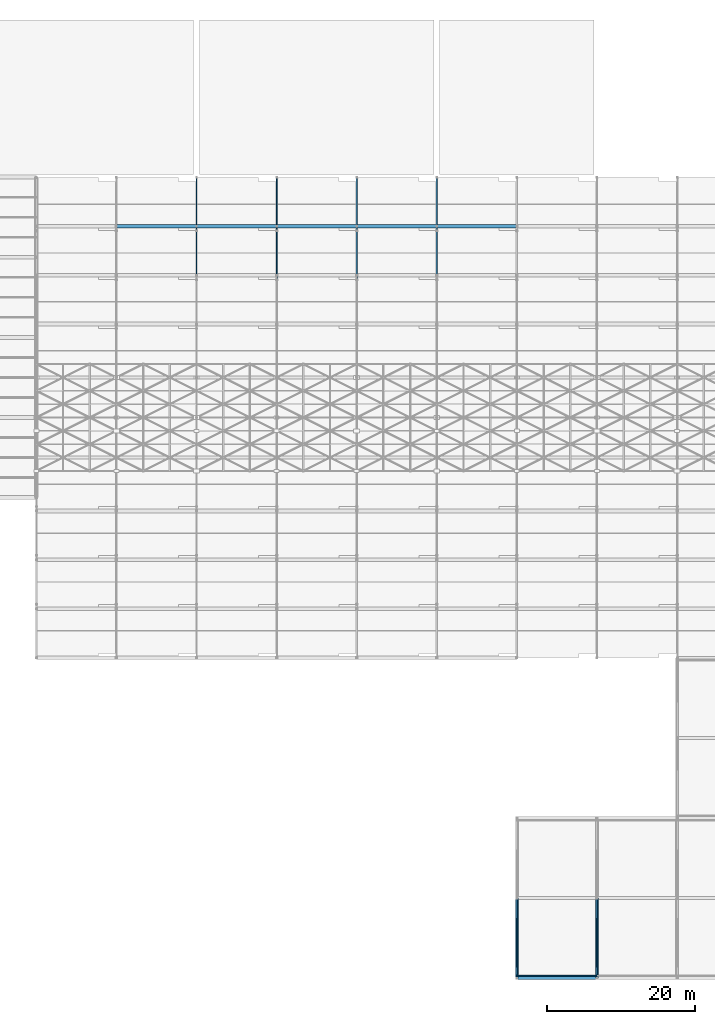
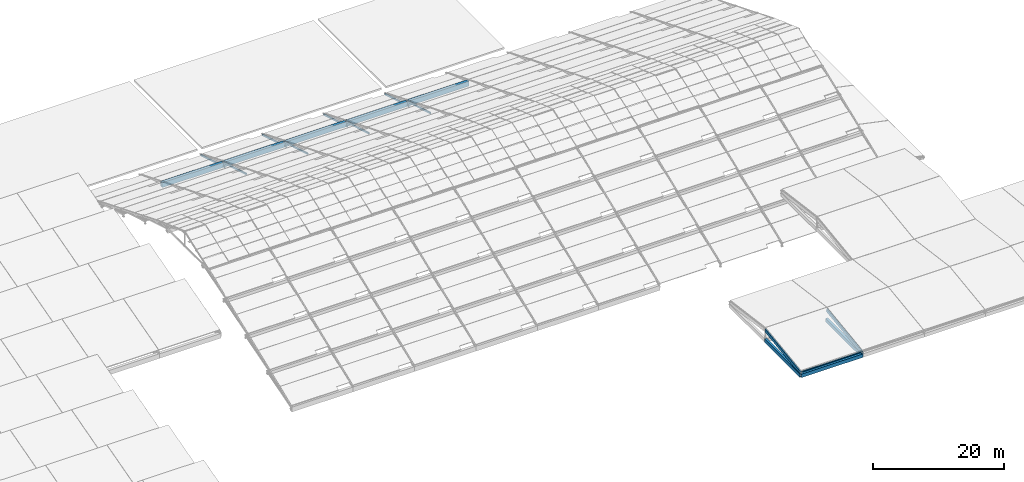
# One storey, part 48 of 112: 11 members, 8 beams.
"""IFC4 building model written with IfcOpenShell, lengths in metres."""

from ifc_helpers import new_model, si_unit, direction, frame, origin, origin_2d, place, context, subcontext, project, spatial, rectangle, hollow_rectangle, extrude, material, material_profile, profile_set, type_object, element, save


model = new_model("IFC4")

# Units and contexts
model_context = context("Model", 3, precision=1e-05, world=origin(), true_north=direction((0.0, 1.0)))
body_context = subcontext(model_context, "Body", "Model", "MODEL_VIEW")
ifc_project = project(units=[si_unit("LENGTHUNIT", "METRE"), si_unit("AREAUNIT", "SQUARE_METRE"), si_unit("VOLUMEUNIT", "CUBIC_METRE"), si_unit("PLANEANGLEUNIT", "RADIAN"), si_unit("MASSUNIT", "GRAM", prefix="KILO")], contexts=[model_context])

# Site, building, storey
site_placement = place(None, origin())
site = spatial("IfcSite", under=ifc_project, at=site_placement, CompositionType="ELEMENT")
building_placement = place(site_placement, origin())
building = spatial("IfcBuilding", under=site, at=building_placement, Name="Zwinboog Wholesale Market", CompositionType="ELEMENT")
storey_placement = place(building_placement, frame((0.0, 0.0, 19.080078125)))
storey = spatial("IfcBuildingStorey", under=building, at=storey_placement, Name="Roof", CompositionType="ELEMENT", Elevation=19.080078125)

# Beams
ifc_material_1 = material(Name="Precast concrete C45/55", Category="concrete")
ifc_material_profile_1 = material_profile(ifc_material_1, rectangle(XDim=0.39990234375, YDim=0.64990234375, at=origin_2d()), Name="PC 400x650")
ifc_profile_set_1 = profile_set([ifc_material_profile_1], Name="Precast concrete C45/55")
beam_type_1 = type_object("IfcBeamType", Name="BT-05", PredefinedType="BEAM", material=ifc_profile_set_1)
beam_1_placement = place(storey_placement, frame((129.60009765625, 0.0, -0.3251953125), z_axis=(1.0, 0.0, 0.0), x_axis=(0.0, 1.0, 0.0)))
element("IfcBeam", 1, at=beam_1_placement, inside=storey, type_object=beam_type_1, Name="BG-05 (BMG-Roof-1296-0000-1287)", PredefinedType="BEAM", context=body_context, shape_type="SweptSolid", body=[
    extrude(rectangle(XDim=0.39990234375, YDim=0.64990234375, at=origin_2d()), origin(), (0.0, 0.0, 1.0), 10.7998046875),
])
for number, where, z_axis, x_axis, name in (
    (2, (129.60009765625, 0.0, -0.3251953125), (0.0, 1.0, 0.0), (-1.0, 0.0, 0.0), "BG-05 (BMG-Roof-1296-0000-1303)"),
    (3, (140.39990234375, 0.0, -0.3251953125), (0.0, 1.0, 0.0), (-1.0, 0.0, 0.0), "BG-05 (BMG-Roof-1404-0000-1305)"),
):
    element("IfcBeam", number, at=place(storey_placement, frame(where, z_axis=z_axis, x_axis=x_axis)), inside=storey, type_object=beam_type_1, Name=name, PredefinedType="BEAM", context=body_context, shape_type="SweptSolid", body=[
        extrude(rectangle(XDim=0.39990234375, YDim=0.64990234375, at=origin_2d()), origin(), (0.0, 0.0, 1.0), 10.800048828125),
    ])
ifc_material_profile_2 = material_profile(ifc_material_1, rectangle(XDim=0.5, YDim=0.89990234375, at=origin_2d()), Name="PC 500x900")
ifc_profile_set_2 = profile_set([ifc_material_profile_2], Name="Precast concrete C45/55")
beam_type_2 = type_object("IfcBeamType", Name="BT-06", PredefinedType="BEAM", material=ifc_profile_set_2)
beam_2_placement = place(storey_placement, frame((75.60009765625, 101.39990234375, -7.402099609375), z_axis=(1.0, 0.0, 0.0), x_axis=(0.0, 1.0, 0.0)))
element("IfcBeam", 4, at=beam_2_placement, inside=storey, type_object=beam_type_2, Name="EB-01 (BMG-Roof-0756-1014-1071)", PredefinedType="BEAM", context=body_context, shape_type="SweptSolid", body=[
    extrude(rectangle(XDim=0.5, YDim=0.89990234375, at=origin_2d()), origin(), (0.0, 0.0, 1.0), 10.7998046875),
])
for number, where, z_axis, x_axis, name in (
    (5, (86.39990234375, 101.39990234375, -7.402099609375), (1.0, 0.0, 0.0), (0.0, 1.0, 0.0), "EB-01 (BMG-Roof-0864-1014-1080)"),
    (6, (97.199951171875, 101.39990234375, -7.402099609375), (1.0, 0.0, 0.0), (0.0, 1.0, 0.0), "EB-01 (BMG-Roof-0972-1014-1089)"),
    (7, (108.0, 101.39990234375, -7.402099609375), (1.0, 0.0, 0.0), (0.0, 1.0, 0.0), "EB-01 (BMG-Roof-1080-1014-1098)"),
    (8, (118.800048828125, 101.39990234375, -7.402099609375), (1.0, 0.0, 0.0), (0.0, 1.0, 0.0), "EB-01 (BMG-Roof-1188-1014-1107)"),
):
    element("IfcBeam", number, at=place(storey_placement, frame(where, z_axis=z_axis, x_axis=x_axis)), inside=storey, type_object=beam_type_2, Name=name, PredefinedType="BEAM", context=body_context, shape_type="SweptSolid", body=[
        extrude(rectangle(XDim=0.5, YDim=0.89990234375, at=origin_2d()), origin(), (0.0, 0.0, 1.0), 10.800048828125),
    ])

# Members
ifc_material_2 = material(Name="Steel S355", Category="steel")
ifc_material_profile_3 = material_profile(ifc_material_2, hollow_rectangle(XDim=0.199951171875, YDim=0.300048828125, WallThickness=0.012451171875, InnerFilletRadius=0.012451171875, OuterFilletRadius=0.02490234375, at=origin_2d()), Name="RHS 300x200x12.5")
ifc_profile_set_3 = profile_set([ifc_material_profile_3], Name="Steel S355")
member_type_1 = type_object("IfcMemberType", Name="MT-01", PredefinedType="CHORD", material=ifc_profile_set_3)
for number, where, z_axis, x_axis, name in (
    (9, (86.39990234375, 108.0, -9.7001953125), (0.0, -0.958185911438, 0.286146394562), (1.0, 0.0, 0.0), "DC-01 (MEM-Roof-0077)"),
    (10, (86.39990234375, 101.39990234375, -7.0), (0.0, -0.958194819429, 0.286116563694), (1.0, 0.0, 0.0), "DC-01 (MEM-Roof-0080)"),
    (11, (97.199951171875, 108.0, -9.7001953125), (0.0, -0.958185911438, 0.286146394562), (1.0, 0.0, 0.0), "DC-01 (MEM-Roof-0107)"),
    (12, (97.199951171875, 101.39990234375, -7.0), (0.0, -0.958194819429, 0.286116563694), (1.0, 0.0, 0.0), "DC-01 (MEM-Roof-0110)"),
    (13, (108.0, 108.0, -9.7001953125), (0.0, -0.958185911438, 0.286146394562), (1.0, 0.0, 0.0), "DC-01 (MEM-Roof-0137)"),
    (14, (108.0, 101.39990234375, -7.0), (0.0, -0.958194819429, 0.286116563694), (1.0, 0.0, 0.0), "DC-01 (MEM-Roof-0140)"),
    (15, (118.800048828125, 108.0, -9.7001953125), (0.0, -0.958185911438, 0.286146394562), (1.0, 0.0, 0.0), "DC-01 (MEM-Roof-0167)"),
    (16, (118.800048828125, 101.39990234375, -7.0), (0.0, -0.958194819429, 0.286116563694), (1.0, 0.0, 0.0), "DC-01 (MEM-Roof-0170)"),
):
    element("IfcMember", number, at=place(storey_placement, frame(where, z_axis=z_axis, x_axis=x_axis)), inside=storey, type_object=member_type_1, Name=name, PredefinedType="CHORD", context=body_context, shape_type="SweptSolid", body=[
        extrude(hollow_rectangle(XDim=0.199951171875, YDim=0.300048828125, WallThickness=0.012451171875, InnerFilletRadius=0.012451171875, OuterFilletRadius=0.02490234375, at=origin_2d()), origin(), (0.0, 0.0, 1.0), 7.51416015625),
    ])
ifc_material_3 = material(Name="Glulam GL28h", Category="wood")
ifc_material_profile_4 = material_profile(ifc_material_3, rectangle(XDim=0.199951171875, YDim=0.60009765625, at=origin_2d()), Name="GL28h 200x600")
ifc_profile_set_4 = profile_set([ifc_material_profile_4], Name="Glulam GL28h")
member_type_2 = type_object("IfcMemberType", Name="MT-11", PredefinedType="RAFTER", material=ifc_profile_set_4)
for number, where, z_axis, x_axis, name in (
    (17, (129.60009765625, 0.0, 0.06982421875), (0.0, 0.99110498434, 0.133082342993), (-1.0, 0.0, 0.0), "GR-03 (MEM-Roof-0902)"),
    (18, (140.39990234375, 0.0, 0.06982421875), (0.0, 0.99110498434, 0.133082342993), (-1.0, 0.0, 0.0), "GR-03 (MEM-Roof-0908)"),
):
    element("IfcMember", number, at=place(storey_placement, frame(where, z_axis=z_axis, x_axis=x_axis)), inside=storey, type_object=member_type_2, Name=name, PredefinedType="RAFTER", context=body_context, shape_type="SweptSolid", body=[
        extrude(rectangle(XDim=0.199951171875, YDim=0.60009765625, at=origin_2d()), origin(), (0.0, 0.0, 1.0), 10.89697265625),
    ])
ifc_material_profile_5 = material_profile(ifc_material_3, rectangle(XDim=0.139892578125, YDim=0.280029296875, at=origin_2d()), Name="GL28h 140x280")
ifc_profile_set_5 = profile_set([ifc_material_profile_5], Name="Glulam GL28h")
member_type_3 = type_object("IfcMemberType", Name="MT-13", PredefinedType="PURLIN", material=ifc_profile_set_5)
member_placement = place(storey_placement, frame((129.60009765625, 0.300048828125, 0.02001953125), z_axis=(1.0, 0.0, 0.0), x_axis=(0.0, 1.0, 0.0)))
element("IfcMember", 19, at=member_placement, inside=storey, type_object=member_type_3, Name="GP-02 (MEM-Roof-0904)", PredefinedType="PURLIN", context=body_context, shape_type="SweptSolid", body=[
    extrude(rectangle(XDim=0.139892578125, YDim=0.280029296875, at=origin_2d()), origin(), (0.0, 0.0, 1.0), 10.7998046875),
])

save(model, "model.ifc")
